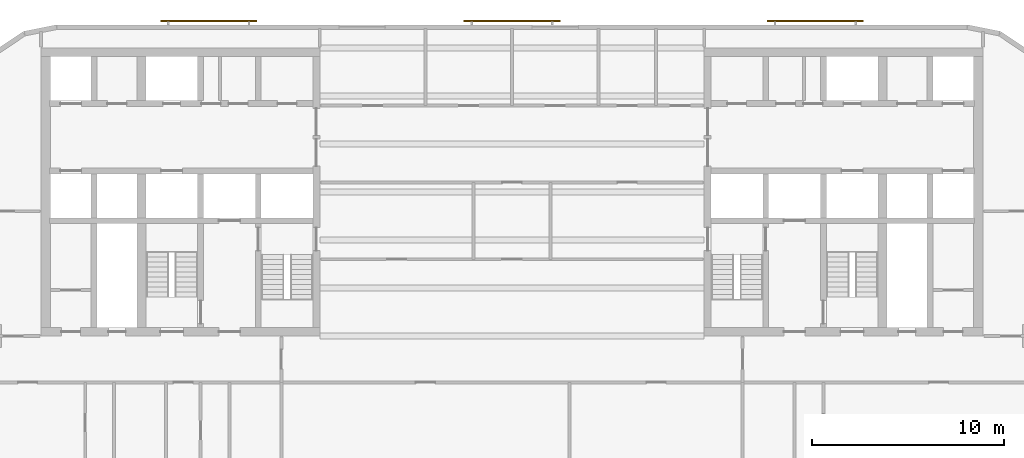
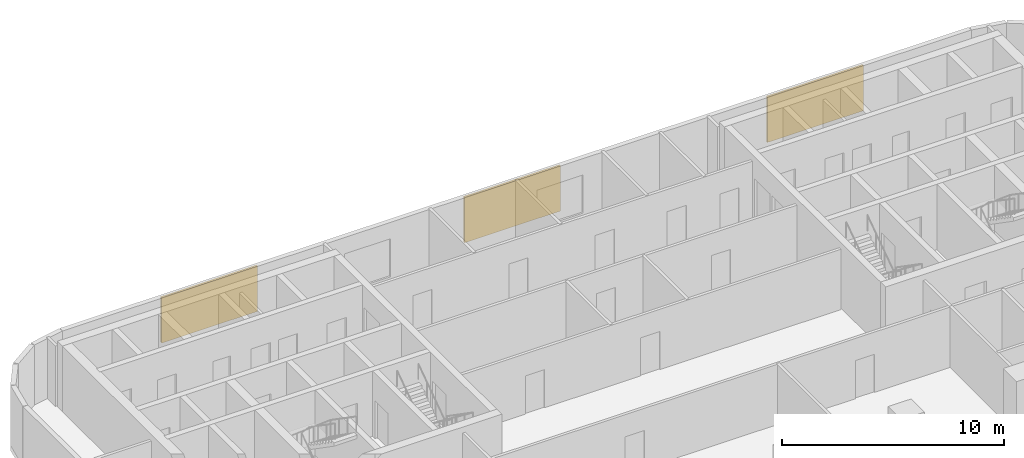
# One storey, part 10 of 11: 3 shading devices.
"""IFC4 building model written with IfcOpenShell, lengths in metres."""

import ifcopenshell
import ifcopenshell.guid

model = None  # the IFC model being written
_history = None  # IfcOwnerHistory: only IFC2X3 demands one
_inside = {}  # id of a spatial element -> (the spatial element, [elements in it])
_under = {}  # id of a project, library or spatial element -> (it, [spatial elements below it])
_declared = {}  # id of a project -> (the project, [libraries it declares])
_typed = {}  # id of a type object -> (the type object, [elements of that type])
_made_of = {}  # id of a material, layer set ... -> (it, [elements and type objects made of it])


def new_model(schema):
    """Start an empty IFC model of exactly this schema.

    Asked for "IFC4X3", IfcOpenShell would pick the latest addendum, in which some entities
    have other attributes; the version numbers below select the first issue.
    IFC2X3 requires an IfcOwnerHistory on every rooted entity: one is made here for all.
    """
    global model, _history
    if schema == "IFC4X3":
        model = ifcopenshell.file(schema_version=(4, 3, 0, 0))
    else:
        model = ifcopenshell.file(schema=schema)
    _inside.clear()
    _under.clear()
    _declared.clear()
    _typed.clear()
    _made_of.clear()
    _history = None
    if model.schema == "IFC2X3":
        org = make("IfcOrganization", Name="unknown")
        user = make(
            "IfcPersonAndOrganization",
            ThePerson=make("IfcPerson", FamilyName="unknown"),
            TheOrganization=org,
        )
        app = make(
            "IfcApplication",
            ApplicationDeveloper=org,
            Version="unknown",
            ApplicationFullName="unknown",
            ApplicationIdentifier="unknown",
        )
        _history = make(
            "IfcOwnerHistory",
            OwningUser=user,
            OwningApplication=app,
            ChangeAction="ADDED",
            CreationDate=0,
        )
    return model


def make(cls, **values):
    """One entity of the class cls with the attributes given. An attribute that is None is left unset."""
    return model.create_entity(
        cls, **{name: value for name, value in values.items() if value is not None}
    )


def rooted(cls, **values):
    """An entity with a GlobalId (a new one), such as an element, a storey or a relation."""
    return make(cls, GlobalId=ifcopenshell.guid.new(), OwnerHistory=_history, **values)


def si_unit(unit_type, name, prefix=None):
    """IfcSIUnit, for example si_unit("LENGTHUNIT", "METRE", prefix="MILLI")."""
    return make("IfcSIUnit", UnitType=unit_type, Prefix=prefix, Name=name)


def assignment(units):
    """IfcUnitAssignment: the units of a project."""
    return None if units is None else make("IfcUnitAssignment", Units=units)


def point(xyz):
    """IfcCartesianPoint."""
    return None if xyz is None else make("IfcCartesianPoint", Coordinates=xyz)


def direction(xyz):
    """IfcDirection."""
    return None if xyz is None else make("IfcDirection", DirectionRatios=xyz)


def frame(location, z_axis=None, x_axis=None):
    """IfcAxis2Placement3D, a coordinate frame: its origin and axes. An axis left out is left unset."""
    return make(
        "IfcAxis2Placement3D",
        Location=point(location),
        Axis=direction(z_axis),
        RefDirection=direction(x_axis),
    )


def frame_2d(location, x_axis=None):
    """IfcAxis2Placement2D, a coordinate frame in the plane: its origin and x axis."""
    return make(
        "IfcAxis2Placement2D", Location=point(location), RefDirection=direction(x_axis)
    )


def origin():
    """The frame at (0, 0, 0) with its axes left unset."""
    return frame((0.0, 0.0, 0.0))


def origin_2d():
    """The frame at (0, 0) in the plane with its x axis left unset."""
    return frame_2d((0.0, 0.0))


def place(relative_to, where):
    """IfcLocalPlacement: puts the frame where relative to a parent placement (None: the world)."""
    return make(
        "IfcLocalPlacement", PlacementRelTo=relative_to, RelativePlacement=where
    )


def context(
    kind, dimensions, precision=None, world=None, true_north=None, identifier=None
):
    """IfcGeometricRepresentationContext, for example the 3D "Model" context."""
    return make(
        "IfcGeometricRepresentationContext",
        ContextIdentifier=identifier,
        ContextType=kind,
        CoordinateSpaceDimension=dimensions,
        Precision=precision,
        WorldCoordinateSystem=world,
        TrueNorth=true_north,
    )


def subcontext(parent, identifier, kind, view, scale=None):
    """IfcGeometricRepresentationSubContext, for example "Body" below "Model"."""
    return make(
        "IfcGeometricRepresentationSubContext",
        ContextIdentifier=identifier,
        ContextType=kind,
        ParentContext=parent,
        TargetScale=scale,
        TargetView=view,
    )


def project(units=None, contexts=None):
    """IfcProject with its units and contexts."""
    return rooted(
        "IfcProject",
        Name="project",
        RepresentationContexts=contexts,
        UnitsInContext=assignment(units),
    )


def spatial(cls, under=None, at=None, **own):
    """A site, building, storey or space (cls), placed at a placement, below another one or the project."""
    s = rooted(cls, ObjectPlacement=at, **own)
    if under is not None:
        _under.setdefault(under.id(), (under, []))[1].append(s)
    return s


def profile(cls, at=None, kind="AREA", **sizes):
    """A parametric profile (cls). Its sizes go by their IFC names, for example OverallWidth=200.0."""
    return make(cls, ProfileType=kind, Position=at, **sizes)


def rectangle(**sizes):
    """IfcRectangleProfileDef."""
    return profile("IfcRectangleProfileDef", **sizes)


def extrude(swept, where, along, depth):
    """IfcExtrudedAreaSolid: the profile swept, set in the frame where, extruded along a direction by depth."""
    return make(
        "IfcExtrudedAreaSolid",
        SweptArea=swept,
        Position=where,
        ExtrudedDirection=direction(along),
        Depth=depth,
    )


def shape(context_of_items, identifier, shape_type, items):
    """IfcShapeRepresentation: the items that make up one representation, for example the "Body"."""
    return make(
        "IfcShapeRepresentation",
        ContextOfItems=context_of_items,
        RepresentationIdentifier=identifier,
        RepresentationType=shape_type,
        Items=items,
    )


def material(Name=None, Category=None):
    """IfcMaterial."""
    return make("IfcMaterial", Name=Name, Category=Category)


def layer(
    of_material, thickness, ventilated=None, Name=None, Category=None, Priority=None
):
    """IfcMaterialLayer: one layer of a wall or slab, of a material (None: an air gap)."""
    return make(
        "IfcMaterialLayer",
        Material=of_material,
        LayerThickness=thickness,
        IsVentilated=ventilated,
        Name=Name,
        Category=Category,
        Priority=Priority,
    )


def layer_set(layers, Name=None):
    """IfcMaterialLayerSet."""
    return make("IfcMaterialLayerSet", MaterialLayers=layers, LayerSetName=Name)


def made_of(thing, what):
    """Note that an element or type object is made of a material, layer set ...; save() writes the relation."""
    if what is not None:
        _made_of.setdefault(what.id(), (what, []))[1].append(thing)
    return thing


def type_object(cls, material=None, **own):
    """A type object (cls), such as IfcWallType, which elements share."""
    return made_of(rooted(cls, **own), material)


def element(
    cls,
    number,
    at=None,
    inside=None,
    cuts=None,
    type_object=None,
    material=None,
    context=None,
    identifier="Body",
    shape_type=None,
    held_by="IfcProductDefinitionShape",
    body=None,
    shapes=None,
    **own,
):
    """One element of the class cls, such as IfcWall. Its Tag is "e" and its number.

    at: its placement. inside: the storey or other place that contains it. cuts: it is an
    opening in that element (IfcRelVoidsElement). A single representation is given by context,
    identifier, shape_type and body (its items); several are given by shapes. held_by: the class
    of the entity that holds the representations. save() writes the other relations.
    """
    e = rooted(cls, Tag="e%d" % number, ObjectPlacement=at, **own)
    if body is not None:
        shapes = [shape(context, identifier, shape_type, body)]
    if shapes is not None:
        e.Representation = make(held_by, Representations=shapes)
    if inside is not None:
        _inside.setdefault(inside.id(), (inside, []))[1].append(e)
    if cuts is not None:
        rooted(
            "IfcRelVoidsElement", RelatingBuildingElement=cuts, RelatedOpeningElement=e
        )
    if type_object is not None:
        _typed.setdefault(type_object.id(), (type_object, []))[1].append(e)
    return made_of(e, material)


def aggregate(whole, parts):
    """IfcRelAggregates: a whole, such as a stair, and the parts it consists of."""
    return rooted("IfcRelAggregates", RelatingObject=whole, RelatedObjects=parts)


def save(model, path):
    """Write the relations noted so far, then the file.

    IfcRelAggregates (storeys below a building ...), IfcRelContainedInSpatialStructure (elements
    in a storey), IfcRelDefinesByType, IfcRelAssociatesMaterial and IfcRelDeclares: one each for
    every whole, place, type object, material and project.
    """
    for whole, parts in _under.values():
        aggregate(whole, parts)
    for where, things in _inside.values():
        rooted(
            "IfcRelContainedInSpatialStructure",
            RelatedElements=things,
            RelatingStructure=where,
        )
    for kind, things in _typed.values():
        rooted("IfcRelDefinesByType", RelatedObjects=things, RelatingType=kind)
    for what, things in _made_of.values():
        rooted("IfcRelAssociatesMaterial", RelatedObjects=things, RelatingMaterial=what)
    for by, libraries in _declared.values():
        rooted("IfcRelDeclares", RelatingContext=by, RelatedDefinitions=libraries)
    model.write(path)


model = new_model("IFC4")

# Units and contexts
model_context = context("Model", 3, precision=1e-05, world=origin(), true_north=direction((0.0, 1.0)))
body_context = subcontext(model_context, "Body", "Model", "MODEL_VIEW")
ifc_project = project(units=[si_unit("LENGTHUNIT", "METRE"), si_unit("AREAUNIT", "SQUARE_METRE"), si_unit("VOLUMEUNIT", "CUBIC_METRE"), si_unit("PLANEANGLEUNIT", "RADIAN"), si_unit("MASSUNIT", "GRAM", prefix="KILO")], contexts=[model_context])

# Site, building, storey
site_placement = place(None, origin())
site = spatial("IfcSite", under=ifc_project, at=site_placement, CompositionType="ELEMENT")
building_placement = place(site_placement, origin())
building = spatial("IfcBuilding", under=site, at=building_placement, Name="Torana Hotel and Residences", CompositionType="ELEMENT")
storey_placement = place(building_placement, frame((0.0, 0.0, 174.0)))
storey = spatial("IfcBuildingStorey", under=building, at=storey_placement, Name="L45", CompositionType="ELEMENT", Elevation=174.0)

# Shading devices
ifc_material = material(Name="Concrete C40/50 precast", Category="concrete")
ifc_layer = layer(ifc_material, 0.10009765625)
ifc_layer_set = layer_set([ifc_layer], Name="SC1 PERFORATED BLOCK SCREEN PANEL 100")
shading_device_type = type_object("IfcShadingDeviceType", Name="SC1 PERFORATED BLOCK SCREEN PANEL 100", PredefinedType="USERDEFINED", material=ifc_layer_set)
for number, where, z_axis, x_axis, name in (
    (1, (15.78369140625, 1.39990234375, 0.5), (0.0, 0.0, 1.0), (-1.0, 0.0, 0.0), "Perforated block screen L45"),
    (2, (0.0, 1.39990234375, 0.5), (0.0, 0.0, 1.0), (-1.0, 0.0, 0.0), "Perforated block screen L45"),
    (3, (-15.78369140625, 1.39990234375, 0.5), (0.0, 0.0, 1.0), (-1.0, 0.0, 0.0), "Perforated block screen L45"),
):
    element("IfcShadingDevice", number, at=place(storey_placement, frame(where, z_axis=z_axis, x_axis=x_axis)), inside=storey, type_object=shading_device_type, Name=name, ObjectType="SCREEN", PredefinedType="USERDEFINED", context=body_context, shape_type="SweptSolid", body=[
        extrude(rectangle(XDim=5.0, YDim=0.10009765625, at=origin_2d()), origin(), (0.0, 0.0, 1.0), 2.5),
    ])

save(model, "model.ifc")
